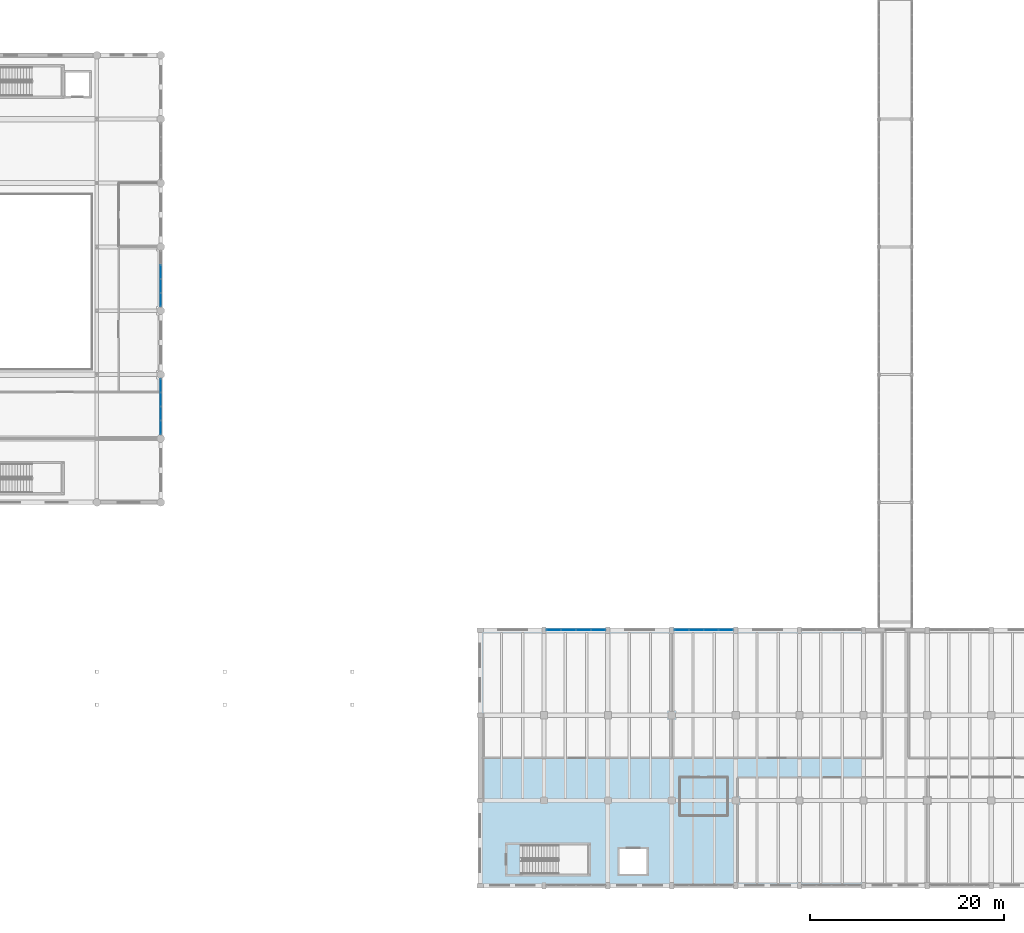
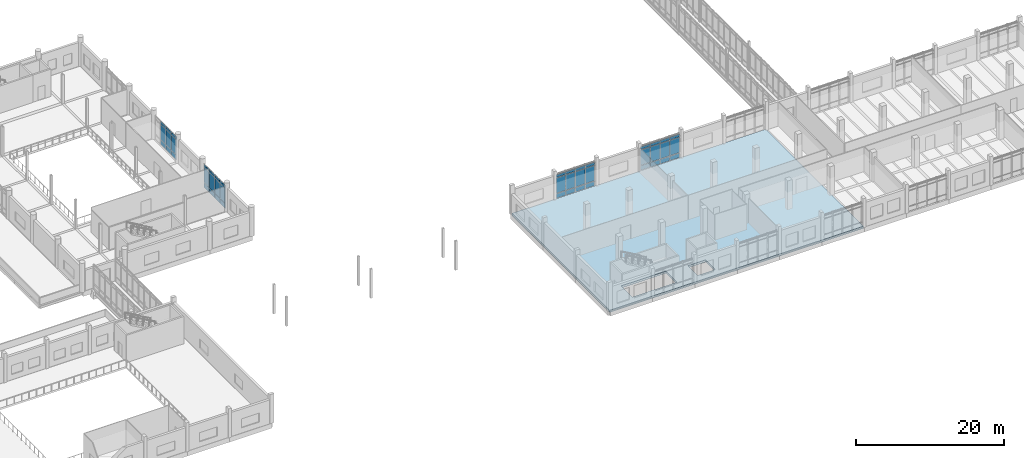
# One storey, part 65 of 125: 45 plates, 1 slab, 4 elements without a shape of their own.
"""IFC4 building model written with IfcOpenShell, lengths in metres."""

from ifc_helpers import new_model, si_unit, direction, frame, origin, origin_2d, place, context, subcontext, project, spatial, polyline, rectangle, outline, extrude, material, layer, layer_set, type_object, element, aggregate, save


model = new_model("IFC4")

# Units and contexts
model_context = context("Model", 3, precision=1e-05, world=origin(), true_north=direction((0.0, 1.0)))
body_context = subcontext(model_context, "Body", "Model", "MODEL_VIEW")
ifc_project = project(units=[si_unit("LENGTHUNIT", "METRE"), si_unit("AREAUNIT", "SQUARE_METRE"), si_unit("VOLUMEUNIT", "CUBIC_METRE"), si_unit("PLANEANGLEUNIT", "RADIAN"), si_unit("MASSUNIT", "GRAM", prefix="KILO")], contexts=[model_context])

# Site, building, storey
site_placement = place(None, origin())
site = spatial("IfcSite", under=ifc_project, at=site_placement, CompositionType="ELEMENT")
building_placement = place(site_placement, origin())
building = spatial("IfcBuilding", under=site, at=building_placement, Name="Dornvale Research Institute", CompositionType="ELEMENT")
storey_placement = place(building_placement, frame((0.0, 0.0, 5.39990234375)))
storey = spatial("IfcBuildingStorey", under=building, at=storey_placement, Name="L01", CompositionType="ELEMENT", Elevation=5.39990234375)

# Curtain wall, plates
ifc_material_1 = material(Name="Low-E Argon Double Insulating Glazing Unit", Category="glass")
curtain_wall_type_1 = type_object("IfcCurtainWallType", Name="UnitisedCurtainWall_V2_5810x3950", PredefinedType="USERDEFINED", material=ifc_material_1)
curtain_wall_1_placement = place(storey_placement, origin())
curtain_wall_1 = element("IfcCurtainWall", 1, at=curtain_wall_1_placement, inside=storey, type_object=curtain_wall_type_1, Name="L01 V2 unitised curtain wall CW-02 #8", ObjectType="UNITISED CURTAIN WALL", PredefinedType="USERDEFINED")
ifc_material_2 = material(Name="Insulated Ceramic-Frit Spandrel Glass Panel", Category="glass")
ifc_layer_1 = layer(ifc_material_2, 0.0419921875)
ifc_layer_set_1 = layer_set([ifc_layer_1], Name="Insulated Ceramic-Frit Spandrel Glass Panel")
plate_type_1 = type_object("IfcPlateType", Name="CurtainPanel_Spandrel_42", PredefinedType="CURTAIN_PANEL", material=ifc_layer_set_1)
plate_1_placement = place(storey_placement, frame((66.0, 63.42626953125, 0.065185546875), z_axis=(0.0, 0.0, 1.0), x_axis=(0.0, -1.0, 0.0)))
plate_1 = element("IfcPlate", 2, at=plate_1_placement, type_object=plate_type_1, Name="CW-02 panel 2.1", PredefinedType="CURTAIN_PANEL", context=body_context, shape_type="SweptSolid", body=[
    extrude(rectangle(XDim=1.387451171875, YDim=0.0419921875, at=origin_2d()), origin(), (0.0, 0.0, 1.0), 0.75244140625),
])
plate_2_placement = place(storey_placement, frame((66.0, 61.9736328125, 0.065185546875), z_axis=(0.0, 0.0, 1.0), x_axis=(0.0, -1.0, 0.0)))
plate_2 = element("IfcPlate", 3, at=plate_2_placement, type_object=plate_type_1, Name="CW-02 panel 3.1", PredefinedType="CURTAIN_PANEL", context=body_context, shape_type="SweptSolid", body=[
    extrude(rectangle(XDim=1.387451171875, YDim=0.0419921875, at=origin_2d()), origin(), (0.0, 0.0, 1.0), 0.75244140625),
])
plate_3_placement = place(storey_placement, frame((66.0, 60.53759765625, 0.065185546875), z_axis=(0.0, 0.0, 1.0), x_axis=(0.0, -1.0, 0.0)))
plate_3 = element("IfcPlate", 4, at=plate_3_placement, type_object=plate_type_1, Name="CW-02 panel 4.1", PredefinedType="CURTAIN_PANEL", context=body_context, shape_type="SweptSolid", body=[
    extrude(rectangle(XDim=1.35498046875, YDim=0.0419921875, at=origin_2d()), origin(), (0.0, 0.0, 1.0), 0.75244140625),
])

curtain_wall_2_placement = place(storey_placement, origin())
curtain_wall_2 = element("IfcCurtainWall", 5, at=curtain_wall_2_placement, inside=storey, type_object=curtain_wall_type_1, Name="L01 V2 unitised curtain wall CW-02 #9", ObjectType="UNITISED CURTAIN WALL", PredefinedType="USERDEFINED")
plate_4_placement = place(storey_placement, frame((66.0, 51.66259765625, 0.065185546875), z_axis=(0.0, 0.0, 1.0), x_axis=(0.0, -1.0, 0.0)))
plate_4 = element("IfcPlate", 6, at=plate_4_placement, type_object=plate_type_1, Name="CW-02 panel 1.1", PredefinedType="CURTAIN_PANEL", context=body_context, shape_type="SweptSolid", body=[
    extrude(rectangle(XDim=1.35498046875, YDim=0.0419921875, at=origin_2d()), origin(), (0.0, 0.0, 1.0), 0.75244140625),
])
plate_5_placement = place(storey_placement, frame((66.0, 50.226318359375, 0.065185546875), z_axis=(0.0, 0.0, 1.0), x_axis=(0.0, -1.0, 0.0)))
plate_5 = element("IfcPlate", 7, at=plate_5_placement, type_object=plate_type_1, Name="CW-02 panel 2.1", PredefinedType="CURTAIN_PANEL", context=body_context, shape_type="SweptSolid", body=[
    extrude(rectangle(XDim=1.387451171875, YDim=0.0419921875, at=origin_2d()), origin(), (0.0, 0.0, 1.0), 0.75244140625),
])
plate_6_placement = place(storey_placement, frame((66.0, 48.773681640625, 0.065185546875), z_axis=(0.0, 0.0, 1.0), x_axis=(0.0, -1.0, 0.0)))
plate_6 = element("IfcPlate", 8, at=plate_6_placement, type_object=plate_type_1, Name="CW-02 panel 3.1", PredefinedType="CURTAIN_PANEL", context=body_context, shape_type="SweptSolid", body=[
    extrude(rectangle(XDim=1.387451171875, YDim=0.0419921875, at=origin_2d()), origin(), (0.0, 0.0, 1.0), 0.75244140625),
])
plate_7_placement = place(storey_placement, frame((66.0, 47.33740234375, 0.065185546875), z_axis=(0.0, 0.0, 1.0), x_axis=(0.0, -1.0, 0.0)))
plate_7 = element("IfcPlate", 9, at=plate_7_placement, type_object=plate_type_1, Name="CW-02 panel 4.1", PredefinedType="CURTAIN_PANEL", context=body_context, shape_type="SweptSolid", body=[
    extrude(rectangle(XDim=1.35498046875, YDim=0.0419921875, at=origin_2d()), origin(), (0.0, 0.0, 1.0), 0.75244140625),
])

ifc_material_3 = material(Name="Low-E Argon Double Insulating Glazing Unit", Category="glass")
curtain_wall_type_2 = type_object("IfcCurtainWallType", Name="UnitisedCurtainWall_V3_6150x4000", PredefinedType="USERDEFINED", material=ifc_material_3)
curtain_wall_3_placement = place(storey_placement, origin())
curtain_wall_3 = element("IfcCurtainWall", 10, at=curtain_wall_3_placement, inside=storey, type_object=curtain_wall_type_2, Name="L01 V3 unitised curtain wall CW-06 #30", ObjectType="UNITISED CURTAIN WALL", PredefinedType="USERDEFINED")
plate_8_placement = place(storey_placement, frame((106.610107421875, 26.39990234375, 0.065185546875), z_axis=(0.0, 0.0, 1.0), x_axis=(1.0, 0.0, 0.0)))
plate_8 = element("IfcPlate", 11, at=plate_8_placement, type_object=plate_type_1, Name="CW-06 panel 1.1", PredefinedType="CURTAIN_PANEL", context=body_context, shape_type="SweptSolid", body=[
    extrude(rectangle(XDim=1.43994140625, YDim=0.0419921875, at=origin_2d()), origin(), (0.0, 0.0, 1.0), 0.75244140625),
])
plate_9_placement = place(storey_placement, frame((108.13134765625, 26.39990234375, 0.065185546875), z_axis=(0.0, 0.0, 1.0), x_axis=(1.0, 0.0, 0.0)))
plate_9 = element("IfcPlate", 12, at=plate_9_placement, type_object=plate_type_1, Name="CW-06 panel 2.1", PredefinedType="CURTAIN_PANEL", context=body_context, shape_type="SweptSolid", body=[
    extrude(rectangle(XDim=1.472412109375, YDim=0.0419921875, at=origin_2d()), origin(), (0.0, 0.0, 1.0), 0.75244140625),
])
plate_10_placement = place(storey_placement, frame((109.668701171875, 26.39990234375, 0.065185546875), z_axis=(0.0, 0.0, 1.0), x_axis=(1.0, 0.0, 0.0)))
plate_10 = element("IfcPlate", 13, at=plate_10_placement, type_object=plate_type_1, Name="CW-06 panel 3.1", PredefinedType="CURTAIN_PANEL", context=body_context, shape_type="SweptSolid", body=[
    extrude(rectangle(XDim=1.472412109375, YDim=0.0419921875, at=origin_2d()), origin(), (0.0, 0.0, 1.0), 0.75244140625),
])
plate_11_placement = place(storey_placement, frame((111.18994140625, 26.39990234375, 0.065185546875), z_axis=(0.0, 0.0, 1.0), x_axis=(1.0, 0.0, 0.0)))
plate_11 = element("IfcPlate", 14, at=plate_11_placement, type_object=plate_type_1, Name="CW-06 panel 4.1", PredefinedType="CURTAIN_PANEL", context=body_context, shape_type="SweptSolid", body=[
    extrude(rectangle(XDim=1.43994140625, YDim=0.0419921875, at=origin_2d()), origin(), (0.0, 0.0, 1.0), 0.75244140625),
])

curtain_wall_4_placement = place(storey_placement, origin())
curtain_wall_4 = element("IfcCurtainWall", 15, at=curtain_wall_4_placement, inside=storey, type_object=curtain_wall_type_2, Name="L01 V3 unitised curtain wall CW-06 #31", ObjectType="UNITISED CURTAIN WALL", PredefinedType="USERDEFINED")
plate_12_placement = place(storey_placement, frame((119.81005859375, 26.39990234375, 0.065185546875), z_axis=(0.0, 0.0, 1.0), x_axis=(1.0, 0.0, 0.0)))
plate_12 = element("IfcPlate", 16, at=plate_12_placement, type_object=plate_type_1, Name="CW-06 panel 1.1", PredefinedType="CURTAIN_PANEL", context=body_context, shape_type="SweptSolid", body=[
    extrude(rectangle(XDim=1.43994140625, YDim=0.0419921875, at=origin_2d()), origin(), (0.0, 0.0, 1.0), 0.75244140625),
])
plate_13_placement = place(storey_placement, frame((121.331298828125, 26.39990234375, 0.065185546875), z_axis=(0.0, 0.0, 1.0), x_axis=(1.0, 0.0, 0.0)))
plate_13 = element("IfcPlate", 17, at=plate_13_placement, type_object=plate_type_1, Name="CW-06 panel 2.1", PredefinedType="CURTAIN_PANEL", context=body_context, shape_type="SweptSolid", body=[
    extrude(rectangle(XDim=1.472412109375, YDim=0.0419921875, at=origin_2d()), origin(), (0.0, 0.0, 1.0), 0.75244140625),
])
plate_14_placement = place(storey_placement, frame((122.86865234375, 26.39990234375, 0.065185546875), z_axis=(0.0, 0.0, 1.0), x_axis=(1.0, 0.0, 0.0)))
plate_14 = element("IfcPlate", 18, at=plate_14_placement, type_object=plate_type_1, Name="CW-06 panel 3.1", PredefinedType="CURTAIN_PANEL", context=body_context, shape_type="SweptSolid", body=[
    extrude(rectangle(XDim=1.472412109375, YDim=0.0419921875, at=origin_2d()), origin(), (0.0, 0.0, 1.0), 0.75244140625),
])
plate_15_placement = place(storey_placement, frame((124.389892578125, 26.39990234375, 0.065185546875), z_axis=(0.0, 0.0, 1.0), x_axis=(1.0, 0.0, 0.0)))
plate_15 = element("IfcPlate", 19, at=plate_15_placement, type_object=plate_type_1, Name="CW-06 panel 4.1", PredefinedType="CURTAIN_PANEL", context=body_context, shape_type="SweptSolid", body=[
    extrude(rectangle(XDim=1.43994140625, YDim=0.0419921875, at=origin_2d()), origin(), (0.0, 0.0, 1.0), 0.75244140625),
])

# Plate
ifc_material_4 = material(Name="Low-E Argon Double Insulating Glazing Unit", Category="glass")
ifc_layer_2 = layer(ifc_material_4, 0.028076171875)
ifc_layer_set_2 = layer_set([ifc_layer_2], Name="Low-E Argon Double Insulating Glazing Unit")
plate_type_2 = type_object("IfcPlateType", Name="CurtainPanel_Vision_28", PredefinedType="CURTAIN_PANEL", material=ifc_layer_set_2)
plate_16_placement = place(storey_placement, frame((66.0, 63.42626953125, 0.88232421875), z_axis=(0.0, 0.0, 1.0), x_axis=(0.0, -1.0, 0.0)))
plate_16 = element("IfcPlate", 20, at=plate_16_placement, type_object=plate_type_2, Name="CW-02 panel 2.2", PredefinedType="CURTAIN_PANEL", context=body_context, shape_type="SweptSolid", body=[
    extrude(rectangle(XDim=1.387451171875, YDim=0.028076171875, at=origin_2d()), origin(), (0.0, 0.0, 1.0), 2.485107421875),
])

plate_17_placement = place(storey_placement, frame((66.0, 63.42626953125, 3.4326171875), z_axis=(0.0, 0.0, 1.0), x_axis=(0.0, -1.0, 0.0)))
plate_17 = element("IfcPlate", 21, at=plate_17_placement, type_object=plate_type_2, Name="CW-02 panel 2.3", PredefinedType="CURTAIN_PANEL", context=body_context, shape_type="SweptSolid", body=[
    extrude(rectangle(XDim=1.387451171875, YDim=0.028076171875, at=origin_2d()), origin(), (0.0, 0.0, 1.0), 0.452392578125),
])

plate_18_placement = place(storey_placement, frame((66.0, 61.9736328125, 0.88232421875), z_axis=(0.0, 0.0, 1.0), x_axis=(0.0, -1.0, 0.0)))
plate_18 = element("IfcPlate", 22, at=plate_18_placement, type_object=plate_type_2, Name="CW-02 panel 3.2", PredefinedType="CURTAIN_PANEL", context=body_context, shape_type="SweptSolid", body=[
    extrude(rectangle(XDim=1.387451171875, YDim=0.028076171875, at=origin_2d()), origin(), (0.0, 0.0, 1.0), 2.485107421875),
])

plate_19_placement = place(storey_placement, frame((66.0, 61.9736328125, 3.4326171875), z_axis=(0.0, 0.0, 1.0), x_axis=(0.0, -1.0, 0.0)))
plate_19 = element("IfcPlate", 23, at=plate_19_placement, type_object=plate_type_2, Name="CW-02 panel 3.3", PredefinedType="CURTAIN_PANEL", context=body_context, shape_type="SweptSolid", body=[
    extrude(rectangle(XDim=1.387451171875, YDim=0.028076171875, at=origin_2d()), origin(), (0.0, 0.0, 1.0), 0.452392578125),
])

plate_20_placement = place(storey_placement, frame((66.0, 60.53759765625, 0.88232421875), z_axis=(0.0, 0.0, 1.0), x_axis=(0.0, -1.0, 0.0)))
plate_20 = element("IfcPlate", 24, at=plate_20_placement, type_object=plate_type_2, Name="CW-02 panel 4.2", PredefinedType="CURTAIN_PANEL", context=body_context, shape_type="SweptSolid", body=[
    extrude(rectangle(XDim=1.35498046875, YDim=0.028076171875, at=origin_2d()), origin(), (0.0, 0.0, 1.0), 2.485107421875),
])

plate_21_placement = place(storey_placement, frame((66.0, 60.53759765625, 3.4326171875), z_axis=(0.0, 0.0, 1.0), x_axis=(0.0, -1.0, 0.0)))
plate_21 = element("IfcPlate", 25, at=plate_21_placement, type_object=plate_type_2, Name="CW-02 panel 4.3", PredefinedType="CURTAIN_PANEL", context=body_context, shape_type="SweptSolid", body=[
    extrude(rectangle(XDim=1.35498046875, YDim=0.028076171875, at=origin_2d()), origin(), (0.0, 0.0, 1.0), 0.452392578125),
])

aggregate(curtain_wall_1, [plate_1, plate_16, plate_17, plate_2, plate_18, plate_19, plate_3, plate_20, plate_21])

plate_22_placement = place(storey_placement, frame((66.0, 51.66259765625, 0.88232421875), z_axis=(0.0, 0.0, 1.0), x_axis=(0.0, -1.0, 0.0)))
plate_22 = element("IfcPlate", 26, at=plate_22_placement, type_object=plate_type_2, Name="CW-02 panel 1.2", PredefinedType="CURTAIN_PANEL", context=body_context, shape_type="SweptSolid", body=[
    extrude(rectangle(XDim=1.35498046875, YDim=0.028076171875, at=origin_2d()), origin(), (0.0, 0.0, 1.0), 2.485107421875),
])

plate_23_placement = place(storey_placement, frame((66.0, 51.66259765625, 3.4326171875), z_axis=(0.0, 0.0, 1.0), x_axis=(0.0, -1.0, 0.0)))
plate_23 = element("IfcPlate", 27, at=plate_23_placement, type_object=plate_type_2, Name="CW-02 panel 1.3", PredefinedType="CURTAIN_PANEL", context=body_context, shape_type="SweptSolid", body=[
    extrude(rectangle(XDim=1.35498046875, YDim=0.028076171875, at=origin_2d()), origin(), (0.0, 0.0, 1.0), 0.452392578125),
])

plate_24_placement = place(storey_placement, frame((66.0, 50.226318359375, 0.88232421875), z_axis=(0.0, 0.0, 1.0), x_axis=(0.0, -1.0, 0.0)))
plate_24 = element("IfcPlate", 28, at=plate_24_placement, type_object=plate_type_2, Name="CW-02 panel 2.2", PredefinedType="CURTAIN_PANEL", context=body_context, shape_type="SweptSolid", body=[
    extrude(rectangle(XDim=1.387451171875, YDim=0.028076171875, at=origin_2d()), origin(), (0.0, 0.0, 1.0), 2.485107421875),
])

plate_25_placement = place(storey_placement, frame((66.0, 50.226318359375, 3.4326171875), z_axis=(0.0, 0.0, 1.0), x_axis=(0.0, -1.0, 0.0)))
plate_25 = element("IfcPlate", 29, at=plate_25_placement, type_object=plate_type_2, Name="CW-02 panel 2.3", PredefinedType="CURTAIN_PANEL", context=body_context, shape_type="SweptSolid", body=[
    extrude(rectangle(XDim=1.387451171875, YDim=0.028076171875, at=origin_2d()), origin(), (0.0, 0.0, 1.0), 0.452392578125),
])

plate_26_placement = place(storey_placement, frame((66.0, 48.773681640625, 0.88232421875), z_axis=(0.0, 0.0, 1.0), x_axis=(0.0, -1.0, 0.0)))
plate_26 = element("IfcPlate", 30, at=plate_26_placement, type_object=plate_type_2, Name="CW-02 panel 3.2", PredefinedType="CURTAIN_PANEL", context=body_context, shape_type="SweptSolid", body=[
    extrude(rectangle(XDim=1.387451171875, YDim=0.028076171875, at=origin_2d()), origin(), (0.0, 0.0, 1.0), 2.485107421875),
])

plate_27_placement = place(storey_placement, frame((66.0, 48.773681640625, 3.4326171875), z_axis=(0.0, 0.0, 1.0), x_axis=(0.0, -1.0, 0.0)))
plate_27 = element("IfcPlate", 31, at=plate_27_placement, type_object=plate_type_2, Name="CW-02 panel 3.3", PredefinedType="CURTAIN_PANEL", context=body_context, shape_type="SweptSolid", body=[
    extrude(rectangle(XDim=1.387451171875, YDim=0.028076171875, at=origin_2d()), origin(), (0.0, 0.0, 1.0), 0.452392578125),
])

plate_28_placement = place(storey_placement, frame((66.0, 47.33740234375, 0.88232421875), z_axis=(0.0, 0.0, 1.0), x_axis=(0.0, -1.0, 0.0)))
plate_28 = element("IfcPlate", 32, at=plate_28_placement, type_object=plate_type_2, Name="CW-02 panel 4.2", PredefinedType="CURTAIN_PANEL", context=body_context, shape_type="SweptSolid", body=[
    extrude(rectangle(XDim=1.35498046875, YDim=0.028076171875, at=origin_2d()), origin(), (0.0, 0.0, 1.0), 2.485107421875),
])

plate_29_placement = place(storey_placement, frame((66.0, 47.33740234375, 3.4326171875), z_axis=(0.0, 0.0, 1.0), x_axis=(0.0, -1.0, 0.0)))
plate_29 = element("IfcPlate", 33, at=plate_29_placement, type_object=plate_type_2, Name="CW-02 panel 4.3", PredefinedType="CURTAIN_PANEL", context=body_context, shape_type="SweptSolid", body=[
    extrude(rectangle(XDim=1.35498046875, YDim=0.028076171875, at=origin_2d()), origin(), (0.0, 0.0, 1.0), 0.452392578125),
])

aggregate(curtain_wall_2, [plate_4, plate_22, plate_23, plate_5, plate_24, plate_25, plate_6, plate_26, plate_27, plate_7, plate_28, plate_29])

plate_30_placement = place(storey_placement, frame((106.610107421875, 26.39990234375, 0.8828125), z_axis=(0.0, 0.0, 1.0), x_axis=(1.0, 0.0, 0.0)))
plate_30 = element("IfcPlate", 34, at=plate_30_placement, type_object=plate_type_2, Name="CW-06 panel 1.2", PredefinedType="CURTAIN_PANEL", context=body_context, shape_type="SweptSolid", body=[
    extrude(rectangle(XDim=1.43994140625, YDim=0.028076171875, at=origin_2d()), origin(), (0.0, 0.0, 1.0), 2.534912109375),
])

plate_31_placement = place(storey_placement, frame((106.610107421875, 26.39990234375, 3.482421875), z_axis=(0.0, 0.0, 1.0), x_axis=(1.0, 0.0, 0.0)))
plate_31 = element("IfcPlate", 35, at=plate_31_placement, type_object=plate_type_2, Name="CW-06 panel 1.3", PredefinedType="CURTAIN_PANEL", context=body_context, shape_type="SweptSolid", body=[
    extrude(rectangle(XDim=1.43994140625, YDim=0.028076171875, at=origin_2d()), origin(), (0.0, 0.0, 1.0), 0.452392578125),
])

plate_32_placement = place(storey_placement, frame((108.13134765625, 26.39990234375, 0.8828125), z_axis=(0.0, 0.0, 1.0), x_axis=(1.0, 0.0, 0.0)))
plate_32 = element("IfcPlate", 36, at=plate_32_placement, type_object=plate_type_2, Name="CW-06 panel 2.2", PredefinedType="CURTAIN_PANEL", context=body_context, shape_type="SweptSolid", body=[
    extrude(rectangle(XDim=1.472412109375, YDim=0.028076171875, at=origin_2d()), origin(), (0.0, 0.0, 1.0), 2.534912109375),
])

plate_33_placement = place(storey_placement, frame((108.13134765625, 26.39990234375, 3.482421875), z_axis=(0.0, 0.0, 1.0), x_axis=(1.0, 0.0, 0.0)))
plate_33 = element("IfcPlate", 37, at=plate_33_placement, type_object=plate_type_2, Name="CW-06 panel 2.3", PredefinedType="CURTAIN_PANEL", context=body_context, shape_type="SweptSolid", body=[
    extrude(rectangle(XDim=1.472412109375, YDim=0.028076171875, at=origin_2d()), origin(), (0.0, 0.0, 1.0), 0.452392578125),
])

plate_34_placement = place(storey_placement, frame((109.668701171875, 26.39990234375, 0.8828125), z_axis=(0.0, 0.0, 1.0), x_axis=(1.0, 0.0, 0.0)))
plate_34 = element("IfcPlate", 38, at=plate_34_placement, type_object=plate_type_2, Name="CW-06 panel 3.2", PredefinedType="CURTAIN_PANEL", context=body_context, shape_type="SweptSolid", body=[
    extrude(rectangle(XDim=1.472412109375, YDim=0.028076171875, at=origin_2d()), origin(), (0.0, 0.0, 1.0), 2.534912109375),
])

plate_35_placement = place(storey_placement, frame((109.668701171875, 26.39990234375, 3.482421875), z_axis=(0.0, 0.0, 1.0), x_axis=(1.0, 0.0, 0.0)))
plate_35 = element("IfcPlate", 39, at=plate_35_placement, type_object=plate_type_2, Name="CW-06 panel 3.3", PredefinedType="CURTAIN_PANEL", context=body_context, shape_type="SweptSolid", body=[
    extrude(rectangle(XDim=1.472412109375, YDim=0.028076171875, at=origin_2d()), origin(), (0.0, 0.0, 1.0), 0.452392578125),
])

plate_36_placement = place(storey_placement, frame((111.18994140625, 26.39990234375, 0.8828125), z_axis=(0.0, 0.0, 1.0), x_axis=(1.0, 0.0, 0.0)))
plate_36 = element("IfcPlate", 40, at=plate_36_placement, type_object=plate_type_2, Name="CW-06 panel 4.2", PredefinedType="CURTAIN_PANEL", context=body_context, shape_type="SweptSolid", body=[
    extrude(rectangle(XDim=1.43994140625, YDim=0.028076171875, at=origin_2d()), origin(), (0.0, 0.0, 1.0), 2.534912109375),
])

plate_37_placement = place(storey_placement, frame((111.18994140625, 26.39990234375, 3.482421875), z_axis=(0.0, 0.0, 1.0), x_axis=(1.0, 0.0, 0.0)))
plate_37 = element("IfcPlate", 41, at=plate_37_placement, type_object=plate_type_2, Name="CW-06 panel 4.3", PredefinedType="CURTAIN_PANEL", context=body_context, shape_type="SweptSolid", body=[
    extrude(rectangle(XDim=1.43994140625, YDim=0.028076171875, at=origin_2d()), origin(), (0.0, 0.0, 1.0), 0.452392578125),
])

aggregate(curtain_wall_3, [plate_8, plate_30, plate_31, plate_9, plate_32, plate_33, plate_10, plate_34, plate_35, plate_11, plate_36, plate_37])

plate_38_placement = place(storey_placement, frame((119.81005859375, 26.39990234375, 0.8828125), z_axis=(0.0, 0.0, 1.0), x_axis=(1.0, 0.0, 0.0)))
plate_38 = element("IfcPlate", 42, at=plate_38_placement, type_object=plate_type_2, Name="CW-06 panel 1.2", PredefinedType="CURTAIN_PANEL", context=body_context, shape_type="SweptSolid", body=[
    extrude(rectangle(XDim=1.43994140625, YDim=0.028076171875, at=origin_2d()), origin(), (0.0, 0.0, 1.0), 2.534912109375),
])

plate_39_placement = place(storey_placement, frame((119.81005859375, 26.39990234375, 3.482421875), z_axis=(0.0, 0.0, 1.0), x_axis=(1.0, 0.0, 0.0)))
plate_39 = element("IfcPlate", 43, at=plate_39_placement, type_object=plate_type_2, Name="CW-06 panel 1.3", PredefinedType="CURTAIN_PANEL", context=body_context, shape_type="SweptSolid", body=[
    extrude(rectangle(XDim=1.43994140625, YDim=0.028076171875, at=origin_2d()), origin(), (0.0, 0.0, 1.0), 0.452392578125),
])

plate_40_placement = place(storey_placement, frame((121.331298828125, 26.39990234375, 0.8828125), z_axis=(0.0, 0.0, 1.0), x_axis=(1.0, 0.0, 0.0)))
plate_40 = element("IfcPlate", 44, at=plate_40_placement, type_object=plate_type_2, Name="CW-06 panel 2.2", PredefinedType="CURTAIN_PANEL", context=body_context, shape_type="SweptSolid", body=[
    extrude(rectangle(XDim=1.472412109375, YDim=0.028076171875, at=origin_2d()), origin(), (0.0, 0.0, 1.0), 2.534912109375),
])

plate_41_placement = place(storey_placement, frame((121.331298828125, 26.39990234375, 3.482421875), z_axis=(0.0, 0.0, 1.0), x_axis=(1.0, 0.0, 0.0)))
plate_41 = element("IfcPlate", 45, at=plate_41_placement, type_object=plate_type_2, Name="CW-06 panel 2.3", PredefinedType="CURTAIN_PANEL", context=body_context, shape_type="SweptSolid", body=[
    extrude(rectangle(XDim=1.472412109375, YDim=0.028076171875, at=origin_2d()), origin(), (0.0, 0.0, 1.0), 0.452392578125),
])

plate_42_placement = place(storey_placement, frame((122.86865234375, 26.39990234375, 0.8828125), z_axis=(0.0, 0.0, 1.0), x_axis=(1.0, 0.0, 0.0)))
plate_42 = element("IfcPlate", 46, at=plate_42_placement, type_object=plate_type_2, Name="CW-06 panel 3.2", PredefinedType="CURTAIN_PANEL", context=body_context, shape_type="SweptSolid", body=[
    extrude(rectangle(XDim=1.472412109375, YDim=0.028076171875, at=origin_2d()), origin(), (0.0, 0.0, 1.0), 2.534912109375),
])

plate_43_placement = place(storey_placement, frame((122.86865234375, 26.39990234375, 3.482421875), z_axis=(0.0, 0.0, 1.0), x_axis=(1.0, 0.0, 0.0)))
plate_43 = element("IfcPlate", 47, at=plate_43_placement, type_object=plate_type_2, Name="CW-06 panel 3.3", PredefinedType="CURTAIN_PANEL", context=body_context, shape_type="SweptSolid", body=[
    extrude(rectangle(XDim=1.472412109375, YDim=0.028076171875, at=origin_2d()), origin(), (0.0, 0.0, 1.0), 0.452392578125),
])

plate_44_placement = place(storey_placement, frame((124.389892578125, 26.39990234375, 0.8828125), z_axis=(0.0, 0.0, 1.0), x_axis=(1.0, 0.0, 0.0)))
plate_44 = element("IfcPlate", 48, at=plate_44_placement, type_object=plate_type_2, Name="CW-06 panel 4.2", PredefinedType="CURTAIN_PANEL", context=body_context, shape_type="SweptSolid", body=[
    extrude(rectangle(XDim=1.43994140625, YDim=0.028076171875, at=origin_2d()), origin(), (0.0, 0.0, 1.0), 2.534912109375),
])

plate_45_placement = place(storey_placement, frame((124.389892578125, 26.39990234375, 3.482421875), z_axis=(0.0, 0.0, 1.0), x_axis=(1.0, 0.0, 0.0)))
plate_45 = element("IfcPlate", 49, at=plate_45_placement, type_object=plate_type_2, Name="CW-06 panel 4.3", PredefinedType="CURTAIN_PANEL", context=body_context, shape_type="SweptSolid", body=[
    extrude(rectangle(XDim=1.43994140625, YDim=0.028076171875, at=origin_2d()), origin(), (0.0, 0.0, 1.0), 0.452392578125),
])

aggregate(curtain_wall_4, [plate_12, plate_38, plate_39, plate_13, plate_40, plate_41, plate_14, plate_42, plate_43, plate_15, plate_44, plate_45])

# Slab
ifc_material_5 = material(Name="Concrete f'c 45 MPa (C35/45)", Category="concrete")
ifc_layer_3 = layer(ifc_material_5, 0.360107421875)
ifc_layer_set_3 = layer_set([ifc_layer_3], Name="Concrete f'c 45 MPa (C35/45)")
slab_type = type_object("IfcSlabType", Name="FloorSlab_Cleanroom_360", PredefinedType="FLOOR", material=ifc_layer_set_3)
slab_placement = place(storey_placement, frame((0.0, 0.0, -0.35986328125)))
element("IfcSlab", 50, at=slab_placement, inside=storey, type_object=slab_type, Name="L01 V3 W floor slab", PredefinedType="FLOOR", context=body_context, shape_type="SweptSolid", body=[
    extrude(outline(polyline([(99.0, 0.0), (99.0, 26.39990234375), (138.60009765625, 26.39990234375), (138.60009765625, 0.0), (99.0, 0.0)]), holes=[polyline([(103.219970703125, 1.199951171875), (110.199951171875, 1.199951171875), (110.199951171875, 4.199951171875), (103.219970703125, 4.199951171875), (103.219970703125, 1.199951171875)]), polyline([(113.39990234375, 1.199951171875), (116.199951171875, 1.199951171875), (116.199951171875, 3.800048828125), (113.39990234375, 3.800048828125), (113.39990234375, 1.199951171875)])]), origin(), (0.0, 0.0, 1.0), 0.35986328125),
])

save(model, "model.ifc")
